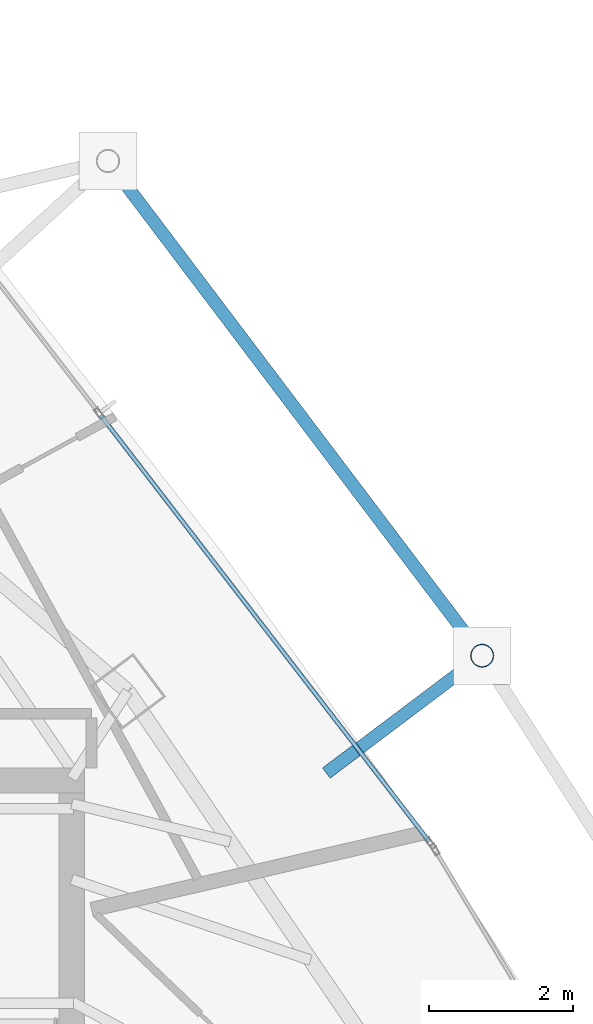
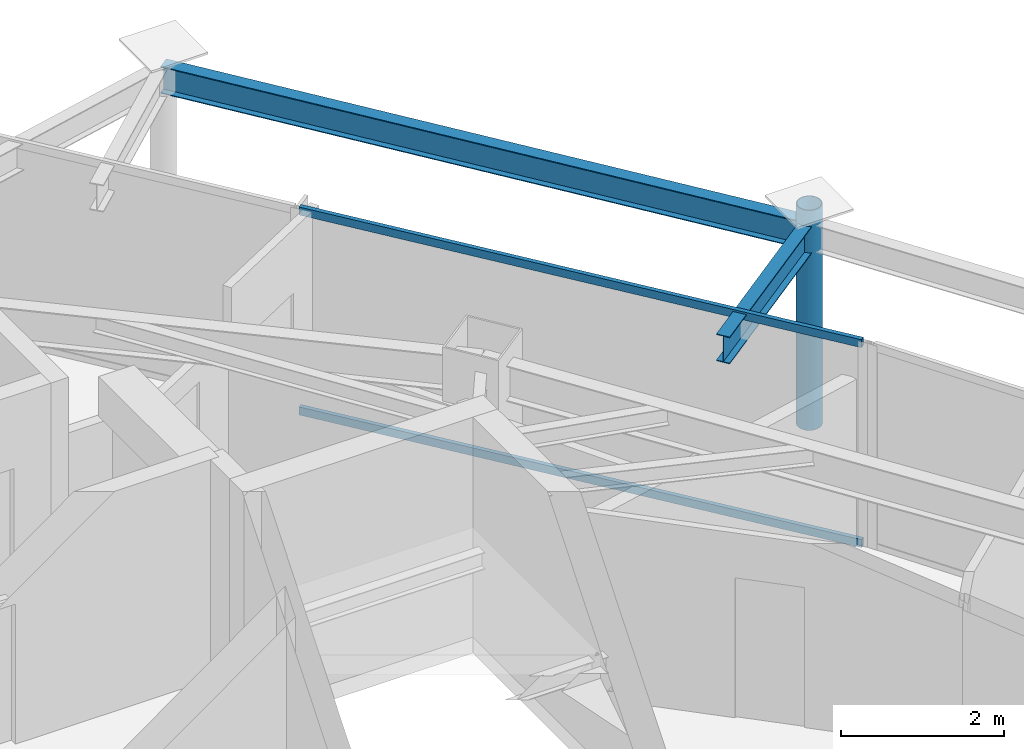
# One storey, part 25 of 32: 3 members, 2 beams, 1 element without a shape of its own.
"""IFC4 building model written with IfcOpenShell, lengths in metres."""

from ifc_helpers import new_model, si_unit, direction, frame, origin, origin_2d, place, context, subcontext, project, spatial, hollow_rectangle, hollow_circle, i_section, extrude, material, layer, layer_set, material_profile, profile_set, type_object, element, aggregate, save


model = new_model("IFC4")

# Units and contexts
model_context = context("Model", 3, precision=1e-05, world=origin(), true_north=direction((0.0, 1.0)))
body_context = subcontext(model_context, "Body", "Model", "MODEL_VIEW")
ifc_project = project(units=[si_unit("LENGTHUNIT", "METRE"), si_unit("AREAUNIT", "SQUARE_METRE"), si_unit("VOLUMEUNIT", "CUBIC_METRE"), si_unit("PLANEANGLEUNIT", "RADIAN"), si_unit("MASSUNIT", "GRAM", prefix="KILO")], contexts=[model_context])

# Site, building, storey
site_placement = place(None, origin())
site = spatial("IfcSite", under=ifc_project, at=site_placement, CompositionType="ELEMENT")
building_placement = place(site_placement, origin())
building = spatial("IfcBuilding", under=site, at=building_placement, Name="Orvanel Arch Residences", CompositionType="ELEMENT")
storey_placement = place(building_placement, frame((0.0, 0.0, 222.800048828125)))
storey = spatial("IfcBuildingStorey", under=building, at=storey_placement, Name="L63", CompositionType="ELEMENT", Elevation=222.800048828125)

# Beams
ifc_material_1 = material(Name="Structural steel AS/NZS 3679.1 Grade 300 (300 MPa)", Category="steel")
ifc_material_profile_1 = material_profile(ifc_material_1, i_section(OverallWidth=0.177978515625, OverallDepth=0.406005859375, WebThickness=0.0078125, FlangeThickness=0.0126953125, at=origin_2d()), Name="410UB59.7")
ifc_profile_set_1 = profile_set([ifc_material_profile_1], Name="Structural steel AS/NZS 3679.1 Grade 300 (300 MPa)")
beam_type = type_object("IfcBeamType", Name="OB-410UB-EXT", PredefinedType="SPANDREL", material=ifc_profile_set_1)
beam_1_placement = place(storey_placement, frame((43.110107421875, 33.97607421875, 2.85693359375), z_axis=(0.798711863477, 0.601713685353, 0.0), x_axis=(-0.601713685353, 0.798711863477, 0.0)))
element("IfcBeam", 1, at=beam_1_placement, inside=storey, type_object=beam_type, Name="L63 Outer Frame Radial Tie Beam 11", PredefinedType="SPANDREL", context=body_context, shape_type="SweptSolid", body=[
    extrude(i_section(OverallWidth=0.177978515625, OverallDepth=0.406005859375, WebThickness=0.0078125, FlangeThickness=0.0126953125, at=origin_2d()), origin(), (0.0, 0.0, 1.0), 2.71044921875),
])
beam_2_placement = place(storey_placement, frame((45.27490234375, 35.60693359375, 2.85693359375), z_axis=(-0.60325908202, 0.797545283956, 0.0), x_axis=(-0.797545283956, -0.60325908202, 0.0)))
element("IfcBeam", 2, at=beam_2_placement, inside=storey, type_object=beam_type, Name="L63 Outer Perimeter Floor Ring Beam 11", PredefinedType="SPANDREL", context=body_context, shape_type="SweptSolid", body=[
    extrude(i_section(OverallWidth=0.177978515625, OverallDepth=0.406005859375, WebThickness=0.0078125, FlangeThickness=0.0126953125, at=origin_2d()), origin(), (0.0, 0.0, 1.0), 8.616455078125),
])

# Member
ifc_material_2 = material(Name="Structural steel AS/NZS 1163 C350L0 (Grade 350)", Category="steel")
ifc_material_profile_2 = material_profile(ifc_material_2, hollow_circle(Radius=0.162109375, WallThickness=0.0126953125, at=origin_2d()), Name="CHS324x12.7")
ifc_profile_set_2 = profile_set([ifc_material_profile_2], Name="Structural steel AS/NZS 1163 C350L0 (Grade 350)")
member_type_1 = type_object("IfcMemberType", Name="ST-324CHS-EXT", PredefinedType="STRUT", material=ifc_profile_set_2)
member_1_placement = place(storey_placement, frame((45.27490234375, 35.60693359375, 0.0), z_axis=(0.0, 0.0, 1.0), x_axis=(1.0, 0.0, 0.0)))
element("IfcMember", 3, at=member_1_placement, inside=storey, type_object=member_type_1, Name="L63 Outer Perimeter Frame Post 11", PredefinedType="STRUT", context=body_context, shape_type="SweptSolid", body=[
    extrude(hollow_circle(Radius=0.162109375, WallThickness=0.0126953125, at=origin_2d()), origin(), (0.0, 0.0, 1.0), 3.300048828125),
])

# Curtain wall, members
ifc_material_3 = material(Name="Bronze-anodised aluminium AA6063-T6", Category="aluminium")
ifc_layer = layer(ifc_material_3, 0.175048828125)
ifc_layer_set = layer_set([ifc_layer], Name="Bronze-anodised aluminium AA6063-T6")
curtain_wall_type = type_object("IfcCurtainWallType", Name="CW4-HI-SYS", PredefinedType="NOTDEFINED", material=ifc_layer_set)
curtain_wall_placement = place(storey_placement, origin())
curtain_wall = element("IfcCurtainWall", 4, at=curtain_wall_placement, inside=storey, type_object=curtain_wall_type, Name="L63 CW4-HI-SYS Unitised Curtain Wall", PredefinedType="NOTDEFINED")
ifc_material_profile_3 = material_profile(ifc_material_3, hollow_rectangle(XDim=0.06005859375, YDim=0.1201171875, WallThickness=0.00341796875, at=origin_2d()), Name="ALU120x60x3.5")
ifc_profile_set_3 = profile_set([ifc_material_profile_3], Name="Bronze-anodised aluminium AA6063-T6")
member_type_2 = type_object("IfcMemberType", Name="TRN-120x60", PredefinedType="USERDEFINED", material=ifc_profile_set_3)
member_2_placement = place(storey_placement, frame((44.540283203125, 33.025390625, 0.030029296875), z_axis=(-0.610543707939, 0.791982563379, 0.0), x_axis=(-0.791982563379, -0.610543707939, 0.0)))
member_2 = element("IfcMember", 5, at=member_2_placement, type_object=member_type_2, Name="CW-S4 transom 1.1", ObjectType="TRANSOM", PredefinedType="USERDEFINED", context=body_context, shape_type="SweptSolid", body=[
    extrude(hollow_rectangle(XDim=0.06005859375, YDim=0.1201171875, WallThickness=0.00341796875, at=origin_2d()), origin(), (0.0, 0.0, 1.0), 7.47607421875),
])
member_3_placement = place(storey_placement, frame((44.540283203125, 33.025390625, 3.030029296875), z_axis=(-0.610543707939, 0.791982563379, 0.0), x_axis=(-0.791982563379, -0.610543707939, 0.0)))
member_3 = element("IfcMember", 6, at=member_3_placement, type_object=member_type_2, Name="CW-S4 transom 1.2", ObjectType="TRANSOM", PredefinedType="USERDEFINED", context=body_context, shape_type="SweptSolid", body=[
    extrude(hollow_rectangle(XDim=0.06005859375, YDim=0.1201171875, WallThickness=0.00341796875, at=origin_2d()), origin(), (0.0, 0.0, 1.0), 7.47607421875),
])
aggregate(curtain_wall, [member_2, member_3])

save(model, "model.ifc")
